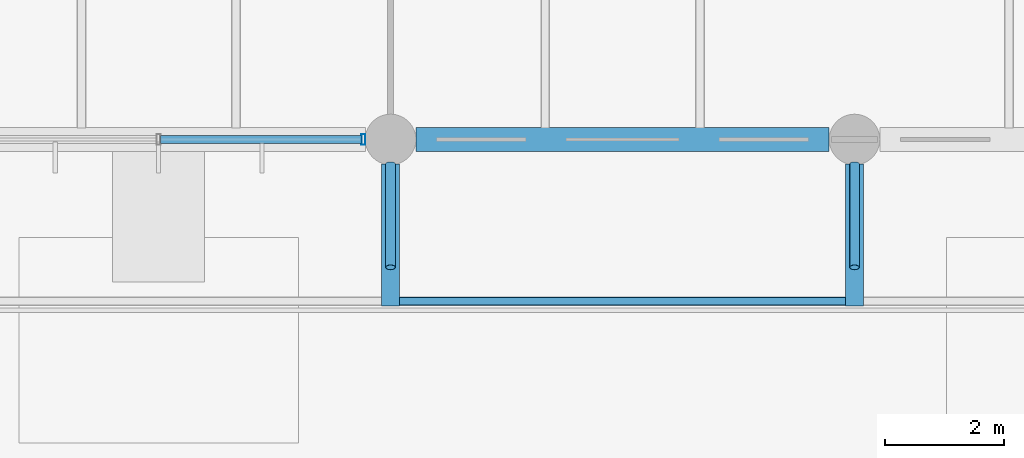
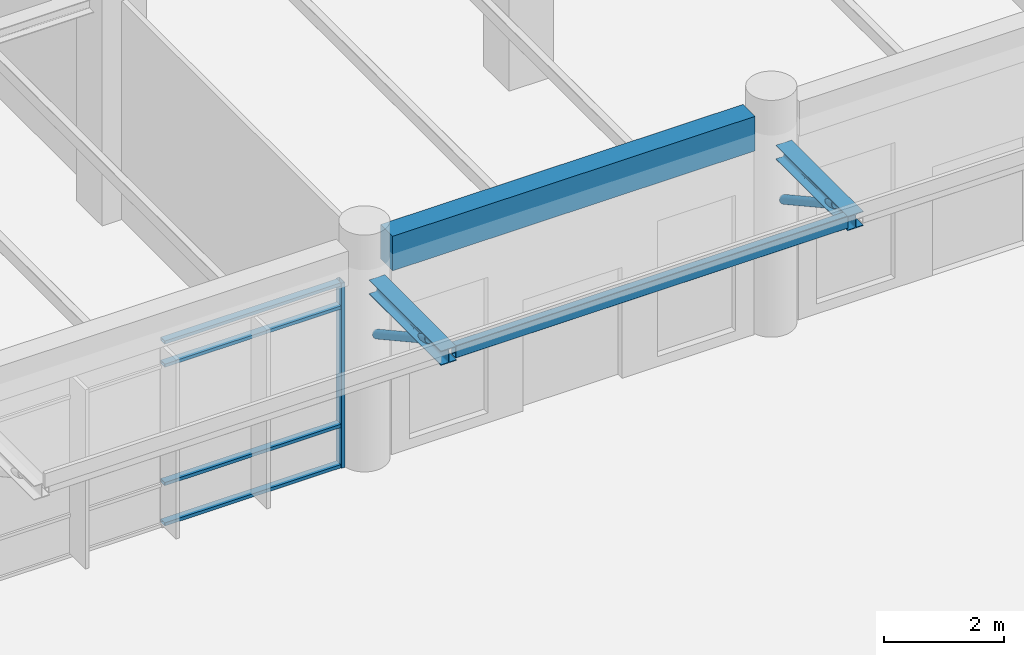
# One storey, part 10 of 74: 7 members, 4 beams, 1 element without a shape of its own.
"""IFC4 building model written with IfcOpenShell, lengths in metres."""

from ifc_helpers import new_model, si_unit, direction, frame, origin, origin_2d, place, context, subcontext, project, spatial, rectangle, hollow_rectangle, hollow_circle, i_section, extrude, material, material_profile, profile_set, type_object, element, aggregate, save


model = new_model("IFC4")

# Units and contexts
model_context = context("Model", 3, precision=1e-05, world=origin(), true_north=direction((0.0, 1.0)))
body_context = subcontext(model_context, "Body", "Model", "MODEL_VIEW")
ifc_project = project(units=[si_unit("LENGTHUNIT", "METRE"), si_unit("AREAUNIT", "SQUARE_METRE"), si_unit("VOLUMEUNIT", "CUBIC_METRE"), si_unit("PLANEANGLEUNIT", "RADIAN"), si_unit("MASSUNIT", "GRAM", prefix="KILO"), si_unit("THERMODYNAMICTEMPERATUREUNIT", "KELVIN"), si_unit("POWERUNIT", "WATT")], contexts=[model_context])

# Site, building, storey
site_placement = place(None, origin())
site = spatial("IfcSite", under=ifc_project, at=site_placement, CompositionType="ELEMENT")
building_placement = place(site_placement, origin())
building = spatial("IfcBuilding", under=site, at=building_placement, Name="Srebrne Nadtorze General Hospital", CompositionType="ELEMENT")
storey_placement = place(building_placement, origin())
storey = spatial("IfcBuildingStorey", under=building, at=storey_placement, Name="L00", CompositionType="ELEMENT", Elevation=0.0)

# Members
ifc_material_1 = material(Name="Steel S355J2", Category="steel")
ifc_material_profile_1 = material_profile(ifc_material_1, hollow_circle(Radius=0.084228515625, WallThickness=0.00634765625, at=origin_2d()), Name="CHS-168.3x6.3")
ifc_profile_set_1 = profile_set([ifc_material_profile_1], Name="Steel S355J2")
member_type_1 = type_object("IfcMemberType", Name="Canopy strut CHS 168.3x6.3", PredefinedType="STRUT", material=ifc_profile_set_1)
for number, where, z_axis, x_axis, name in (
    (1, (62.39990234375, -0.4150390625, 2.75), (0.0, -0.876023229462, 0.482268909887), (1.0, 0.0, 0.0), "South entrance canopy strut 2"),
    (2, (70.199951171875, -0.4150390625, 2.75), (0.0, -0.876023229462, 0.482268909887), (1.0, 0.0, 0.0), "South entrance canopy strut 3"),
):
    element("IfcMember", number, at=place(storey_placement, frame(where, z_axis=z_axis, x_axis=x_axis)), inside=storey, type_object=member_type_1, Name=name, PredefinedType="STRUT", context=body_context, shape_type="SweptSolid", body=[
        extrude(hollow_circle(Radius=0.084228515625, WallThickness=0.00634765625, at=origin_2d()), origin(), (0.0, 0.0, 1.0), 1.98046875),
    ])

# Curtain wall, members
ifc_material_2 = material(Name="Anodised Aluminium", Category="aluminium")
curtain_wall_type = type_object("IfcCurtainWallType", Name="Unitised curtain wall 6950x3750", PredefinedType="NOTDEFINED", material=ifc_material_2)
curtain_wall_placement = place(storey_placement, origin())
curtain_wall = element("IfcCurtainWall", 3, at=curtain_wall_placement, inside=storey, type_object=curtain_wall_type, Name="Curtain wall CW-001", PredefinedType="NOTDEFINED")
ifc_material_3 = material(Name="Anodised Aluminium", Category="aluminium")
ifc_material_profile_2 = material_profile(ifc_material_3, hollow_rectangle(XDim=0.06494140625, YDim=0.179931640625, WallThickness=0.00390625, at=origin_2d()), Name="AL-MUL-65x180")
ifc_profile_set_2 = profile_set([ifc_material_profile_2], Name="Anodised Aluminium")
member_type_2 = type_object("IfcMemberType", Name="Curtain mullion 65x180", PredefinedType="MULLION", material=ifc_profile_set_2)
member_1_placement = place(storey_placement, frame((61.9423828125, 0.0, 0.0), z_axis=(0.0, 0.0, 1.0), x_axis=(1.0, 0.0, 0.0)))
member_1 = element("IfcMember", 4, at=member_1_placement, type_object=member_type_2, Name="CW-001 mullion 3", PredefinedType="MULLION", context=body_context, shape_type="SweptSolid", body=[
    extrude(hollow_rectangle(XDim=0.06494140625, YDim=0.179931640625, WallThickness=0.00390625, at=origin_2d()), origin(), (0.0, 0.0, 1.0), 3.75),
])
ifc_material_4 = material(Name="Anodised Aluminium", Category="aluminium")
ifc_material_profile_3 = material_profile(ifc_material_4, hollow_rectangle(XDim=0.06494140625, YDim=0.139892578125, WallThickness=0.00390625, at=origin_2d()), Name="AL-TRN-65x140")
ifc_profile_set_3 = profile_set([ifc_material_profile_3], Name="Anodised Aluminium")
member_type_3 = type_object("IfcMemberType", Name="Curtain transom 65x140", PredefinedType="USERDEFINED", material=ifc_profile_set_3)
member_2_placement = place(storey_placement, frame((58.532470703125, 0.0, 0.032470703125), z_axis=(1.0, 0.0, 0.0), x_axis=(0.0, 0.0, 1.0)))
member_2 = element("IfcMember", 5, at=member_2_placement, type_object=member_type_3, Name="CW-001 transom 2.1", ObjectType="TRANSOM", PredefinedType="USERDEFINED", context=body_context, shape_type="SweptSolid", body=[
    extrude(hollow_rectangle(XDim=0.06494140625, YDim=0.139892578125, WallThickness=0.00390625, at=origin_2d()), origin(), (0.0, 0.0, 1.0), 3.37744140625),
])
member_3_placement = place(storey_placement, frame((58.532470703125, 0.0, 0.85009765625), z_axis=(1.0, 0.0, 0.0), x_axis=(0.0, 0.0, 1.0)))
member_3 = element("IfcMember", 6, at=member_3_placement, type_object=member_type_3, Name="CW-001 transom 2.2", ObjectType="TRANSOM", PredefinedType="USERDEFINED", context=body_context, shape_type="SweptSolid", body=[
    extrude(hollow_rectangle(XDim=0.06494140625, YDim=0.139892578125, WallThickness=0.00390625, at=origin_2d()), origin(), (0.0, 0.0, 1.0), 3.37744140625),
])
member_4_placement = place(storey_placement, frame((58.532470703125, 0.0, 3.25), z_axis=(1.0, 0.0, 0.0), x_axis=(0.0, 0.0, 1.0)))
member_4 = element("IfcMember", 7, at=member_4_placement, type_object=member_type_3, Name="CW-001 transom 2.3", ObjectType="TRANSOM", PredefinedType="USERDEFINED", context=body_context, shape_type="SweptSolid", body=[
    extrude(hollow_rectangle(XDim=0.06494140625, YDim=0.139892578125, WallThickness=0.00390625, at=origin_2d()), origin(), (0.0, 0.0, 1.0), 3.37744140625),
])
member_5_placement = place(storey_placement, frame((58.532470703125, 0.0, 3.717529296875), z_axis=(1.0, 0.0, 0.0), x_axis=(0.0, 0.0, 1.0)))
member_5 = element("IfcMember", 8, at=member_5_placement, type_object=member_type_3, Name="CW-001 transom 2.4", ObjectType="TRANSOM", PredefinedType="USERDEFINED", context=body_context, shape_type="SweptSolid", body=[
    extrude(hollow_rectangle(XDim=0.06494140625, YDim=0.139892578125, WallThickness=0.00390625, at=origin_2d()), origin(), (0.0, 0.0, 1.0), 3.37744140625),
])
aggregate(curtain_wall, [member_1, member_2, member_3, member_4, member_5])

# Beams
ifc_material_5 = material(Name="Concrete C40/50", Category="concrete")
ifc_material_profile_4 = material_profile(ifc_material_5, rectangle(XDim=0.39990234375, YDim=0.699951171875, at=origin_2d()), Name="RC-BM-400x700")
ifc_profile_set_4 = profile_set([ifc_material_profile_4], Name="Concrete C40/50")
beam_type_1 = type_object("IfcBeamType", Name="Edge beam RC 400x700", PredefinedType="BEAM", material=ifc_profile_set_4)
beam_1_placement = place(storey_placement, frame((62.824951171875, 0.0, 4.10009765625), z_axis=(1.0, 0.0, 0.0), x_axis=(0.0, 1.0, 0.0)))
element("IfcBeam", 9, at=beam_1_placement, inside=storey, type_object=beam_type_1, Name="Beam BM-L00-X-0186", PredefinedType="BEAM", context=body_context, shape_type="SweptSolid", body=[
    extrude(rectangle(XDim=0.39990234375, YDim=0.699951171875, at=origin_2d()), origin(), (0.0, 0.0, 1.0), 6.949951171875),
])
ifc_material_6 = material(Name="Steel S355J2", Category="steel")
ifc_material_profile_5 = material_profile(ifc_material_6, hollow_rectangle(XDim=0.14990234375, YDim=0.25, WallThickness=0.010009765625, InnerFilletRadius=0.010009765625, OuterFilletRadius=0.014892578125, at=origin_2d()), Name="RHS-250x150x10")
ifc_profile_set_5 = profile_set([ifc_material_profile_5], Name="Steel S355J2")
beam_type_2 = type_object("IfcBeamType", Name="Hollow canopy beam RHS 250x150x10", PredefinedType="HOLLOWCORE", material=ifc_profile_set_5)
beam_2_placement = place(storey_placement, frame((62.5400390625, -2.719970703125, 3.77490234375), z_axis=(1.0, 0.0, 0.0), x_axis=(0.0, 1.0, 0.0)))
element("IfcBeam", 10, at=beam_2_placement, inside=storey, type_object=beam_type_2, Name="South entrance canopy fascia beam 2", PredefinedType="HOLLOWCORE", context=body_context, shape_type="SweptSolid", body=[
    extrude(hollow_rectangle(XDim=0.14990234375, YDim=0.25, WallThickness=0.010009765625, InnerFilletRadius=0.010009765625, OuterFilletRadius=0.014892578125, at=origin_2d()), origin(), (0.0, 0.0, 1.0), 7.52001953125),
])
ifc_material_7 = material(Name="Steel S355J2", Category="steel")
ifc_material_profile_6 = material_profile(ifc_material_7, i_section(OverallWidth=0.300048828125, OverallDepth=0.2900390625, WebThickness=0.008544921875, FlangeThickness=0.013916015625, FilletRadius=0.027099609375, at=origin_2d()), Name="HEA-300")
ifc_profile_set_6 = profile_set([ifc_material_profile_6], Name="Steel S355J2")
beam_type_3 = type_object("IfcBeamType", Name="Primary beam HEA 300", PredefinedType="BEAM", material=ifc_profile_set_6)
for number, where, z_axis, x_axis, name in (
    (11, (62.39990234375, -0.4150390625, 3.7548828125), (0.0, -1.0, 0.0), (1.0, 0.0, 0.0), "South entrance canopy girder 2"),
    (12, (70.199951171875, -0.4150390625, 3.7548828125), (0.0, -1.0, 0.0), (1.0, 0.0, 0.0), "South entrance canopy girder 3"),
):
    element("IfcBeam", number, at=place(storey_placement, frame(where, z_axis=z_axis, x_axis=x_axis)), inside=storey, type_object=beam_type_3, Name=name, PredefinedType="BEAM", context=body_context, shape_type="SweptSolid", body=[
        extrude(i_section(OverallWidth=0.300048828125, OverallDepth=0.2900390625, WebThickness=0.008544921875, FlangeThickness=0.013916015625, FilletRadius=0.027099609375, at=origin_2d()), origin(), (0.0, 0.0, 1.0), 2.385009765625),
    ])

save(model, "model.ifc")
